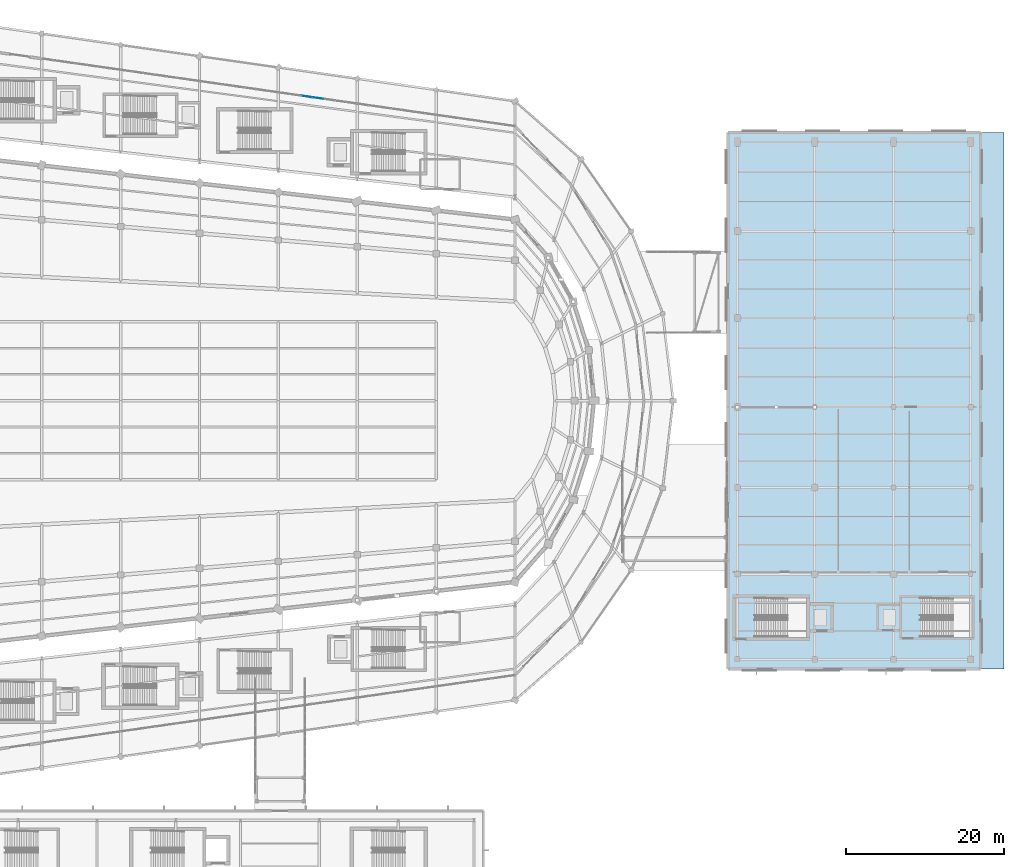
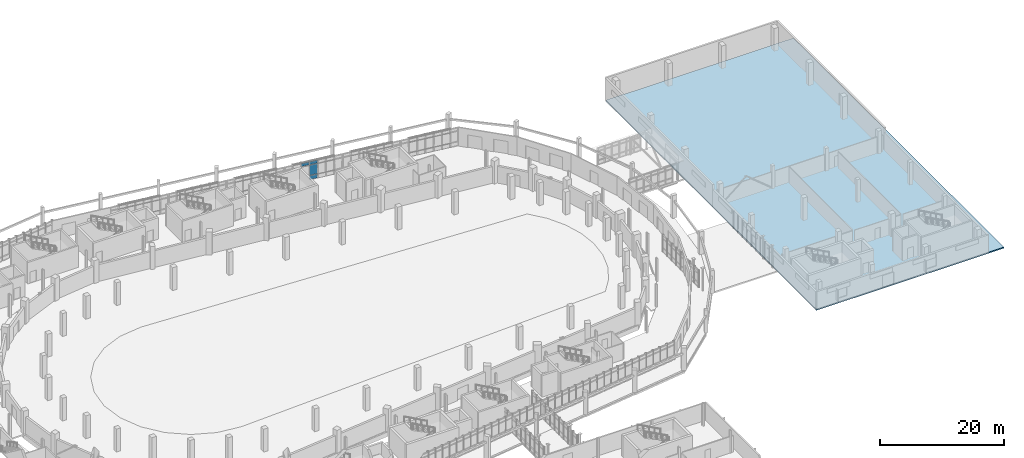
# One storey, part 94 of 122: 4 plates, 1 slab, 1 element without a shape of its own.
"""IFC4 building model written with IfcOpenShell, lengths in metres."""

from ifc_helpers import new_model, si_unit, direction, frame, origin, origin_2d, place, context, subcontext, project, spatial, polyline, rectangle, outline, extrude, material, layer, layer_set, type_object, element, aggregate, save


model = new_model("IFC4")

# Units and contexts
model_context = context("Model", 3, precision=1e-05, world=origin(), true_north=direction((0.0, 1.0)))
body_context = subcontext(model_context, "Body", "Model", "MODEL_VIEW")
ifc_project = project(units=[si_unit("LENGTHUNIT", "METRE"), si_unit("AREAUNIT", "SQUARE_METRE"), si_unit("VOLUMEUNIT", "CUBIC_METRE"), si_unit("PLANEANGLEUNIT", "RADIAN"), si_unit("MASSUNIT", "GRAM", prefix="KILO")], contexts=[model_context])

# Site, building, storey
site_placement = place(None, origin())
site = spatial("IfcSite", under=ifc_project, at=site_placement, CompositionType="ELEMENT")
building_placement = place(site_placement, origin())
building = spatial("IfcBuilding", under=site, at=building_placement, Name="Sohan Crest Arena", CompositionType="ELEMENT")
storey_placement = place(building_placement, origin())
storey = spatial("IfcBuildingStorey", under=building, at=storey_placement, Name="L00", CompositionType="ELEMENT", Elevation=0.0)

# Curtain wall, plates
ifc_material_1 = material(Name="Thermally broken anodised aluminium", Category="aluminium")
ifc_layer_1 = layer(ifc_material_1, 0.179931640625, Name="Thermally broken anodised aluminium")
ifc_layer_set_1 = layer_set([ifc_layer_1], Name="Thermally broken anodised aluminium")
curtain_wall_type = type_object("IfcCurtainWallType", Name="ARC-CW01", PredefinedType="NOTDEFINED", material=ifc_layer_set_1)
curtain_wall_placement = place(storey_placement, origin())
curtain_wall = element("IfcCurtainWall", 1, at=curtain_wall_placement, inside=storey, type_object=curtain_wall_type, Name="Unitised curtain wall CW-016", PredefinedType="NOTDEFINED")
ifc_material_2 = material(Name="Low-E double-glazed insulated glass", Category="glass")
ifc_layer_2 = layer(ifc_material_2, 0.028076171875, Name="Low-E double-glazed insulated glass")
ifc_layer_set_2 = layer_set([ifc_layer_2], Name="Low-E double-glazed insulated glass")
plate_type = type_object("IfcPlateType", Name="ARC-CNP01", PredefinedType="CURTAIN_PANEL", material=ifc_layer_set_2)
plate_1_placement = place(storey_placement, frame((143.0, 116.37158203125, 0.06005859375), z_axis=(0.0, 0.0, 1.0), x_axis=(-0.989943553128, 0.141462933734, 0.0)))
plate_1 = element("IfcPlate", 2, at=plate_1_placement, type_object=plate_type, Name="CW-016 panel 4.1", PredefinedType="CURTAIN_PANEL", context=body_context, shape_type="SweptSolid", body=[
    extrude(rectangle(XDim=1.383056640625, YDim=0.028076171875, at=origin_2d()), origin(), (0.0, 0.0, 1.0), 0.81005859375),
])
plate_2_placement = place(storey_placement, frame((143.0, 116.37158203125, 0.929931640625), z_axis=(0.0, 0.0, 1.0), x_axis=(-0.989943553128, 0.141462933734, 0.0)))
plate_2 = element("IfcPlate", 3, at=plate_2_placement, type_object=plate_type, Name="CW-016 panel 4.2", PredefinedType="CURTAIN_PANEL", context=body_context, shape_type="SweptSolid", body=[
    extrude(rectangle(XDim=1.383056640625, YDim=0.028076171875, at=origin_2d()), origin(), (0.0, 0.0, 1.0), 2.02001953125),
])
plate_3_placement = place(storey_placement, frame((143.0, 116.37158203125, 3.009765625), z_axis=(0.0, 0.0, 1.0), x_axis=(-0.989943553128, 0.141462933734, 0.0)))
plate_3 = element("IfcPlate", 4, at=plate_3_placement, type_object=plate_type, Name="CW-016 panel 4.3", PredefinedType="CURTAIN_PANEL", context=body_context, shape_type="SweptSolid", body=[
    extrude(rectangle(XDim=1.383056640625, YDim=0.028076171875, at=origin_2d()), origin(), (0.0, 0.0, 1.0), 0.610107421875),
])
plate_4_placement = place(storey_placement, frame((141.571533203125, 116.57568359375, 3.009765625), z_axis=(0.0, 0.0, 1.0), x_axis=(-0.989943553128, 0.141462933734, 0.0)))
plate_4 = element("IfcPlate", 5, at=plate_4_placement, type_object=plate_type, Name="CW-016 panel 5.3", PredefinedType="CURTAIN_PANEL", context=body_context, shape_type="SweptSolid", body=[
    extrude(rectangle(XDim=1.383056640625, YDim=0.028076171875, at=origin_2d()), origin(), (0.0, 0.0, 1.0), 0.610107421875),
])
aggregate(curtain_wall, [plate_1, plate_2, plate_3, plate_4])

# Slab
ifc_material_3 = material(Name="Concrete C40/50", Category="concrete")
ifc_layer_3 = layer(ifc_material_3, 0.22998046875, Name="Concrete C40/50")
ifc_layer_set_3 = layer_set([ifc_layer_3], Name="Concrete C40/50")
slab_type = type_object("IfcSlabType", Name="SL-FLR2", PredefinedType="FLOOR", material=ifc_layer_set_3)
slab_placement = place(storey_placement, frame((0.0, 0.0, -0.22998046875)))
element("IfcSlab", 6, at=slab_placement, inside=storey, type_object=slab_type, Name="Practice and community hall ground slab SL-L00-V4", PredefinedType="FLOOR", context=body_context, shape_type="SweptSolid", body=[
    extrude(outline(polyline([(195.0, 44.0), (195.0, 112.0), (230.0, 112.0), (230.0, 44.0), (195.0, 44.0)])), origin(), (0.0, 0.0, 1.0), 0.22998046875),
])

save(model, "model.ifc")
